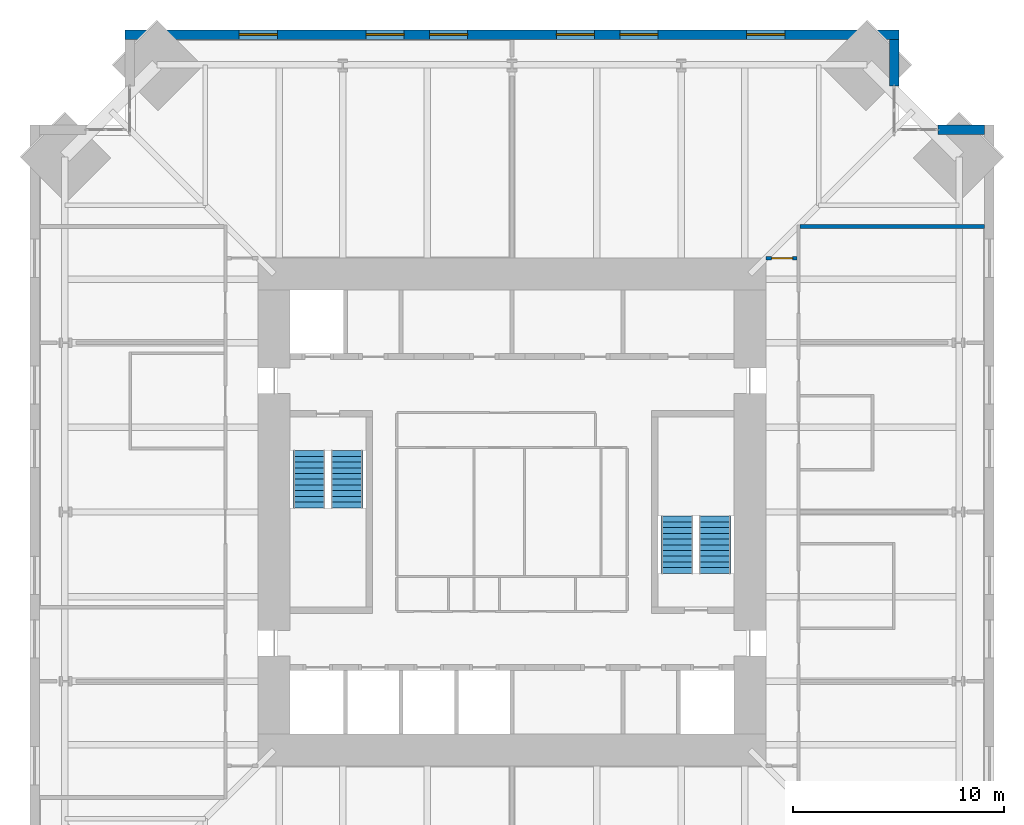
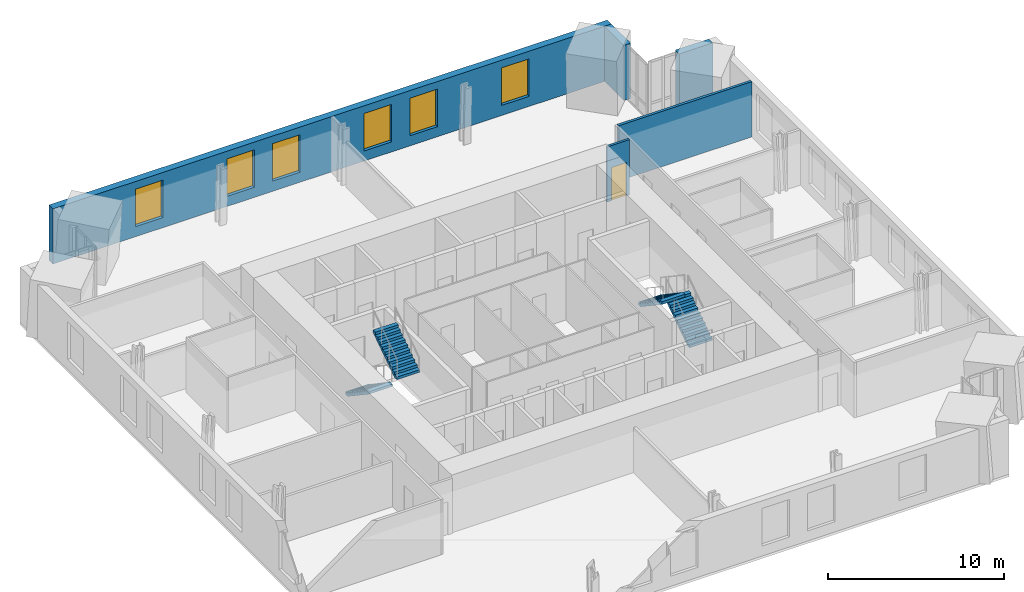
# One storey, part 14 of 15: 6 windows, 5 walls, 4 stair flights, 1 door, 7 openings, 2 elements without a shape of their own.
"""IFC4 building model written with IfcOpenShell, lengths in metres."""

from ifc_helpers import new_model, si_unit, direction, frame, frame_2d, origin, place, context, subcontext, project, spatial, polyline, rectangle, outline, extrude, material, layer, layer_set, type_object, element, fill, aggregate, save


model = new_model("IFC4")

# Units and contexts
model_context = context("Model", 3, precision=1e-05, world=origin(), true_north=direction((0.0, 1.0)))
body_context = subcontext(model_context, "Body", "Model", "MODEL_VIEW")
ifc_project = project(units=[si_unit("LENGTHUNIT", "METRE"), si_unit("AREAUNIT", "SQUARE_METRE"), si_unit("VOLUMEUNIT", "CUBIC_METRE"), si_unit("PLANEANGLEUNIT", "RADIAN"), si_unit("MASSUNIT", "GRAM", prefix="KILO")], contexts=[model_context])

# Site, building, storey
site_placement = place(None, origin())
site = spatial("IfcSite", under=ifc_project, at=site_placement, CompositionType="ELEMENT")
building_placement = place(site_placement, origin())
building = spatial("IfcBuilding", under=site, at=building_placement, Name="Peilmerk Tower", CompositionType="ELEMENT")
storey_placement = place(building_placement, frame((0.0, 0.0, 241.800048828125)))
storey = spatial("IfcBuildingStorey", under=building, at=storey_placement, Name="L53", CompositionType="ELEMENT", Elevation=241.800048828125)

# Wall, openings, windows
ifc_material_1 = material(Name="Precast concrete C45/55, board-marked finish", Category="concrete")
ifc_layer_1 = layer(ifc_material_1, 0.449951171875)
ifc_layer_set_1 = layer_set([ifc_layer_1], Name="Precast concrete C45/55, board-marked finish")
wall_type_1 = type_object("IfcWallType", Name="EW1 450 precast concrete facade wall, board-marked", PredefinedType="SOLIDWALL", material=ifc_layer_set_1)
wall_1_placement = place(storey_placement, frame((18.300048828125, 22.574951171875, 0.0), z_axis=(0.0, 0.0, 1.0), x_axis=(-1.0, 0.0, 0.0)))
wall_1 = element("IfcWall", 1, at=wall_1_placement, inside=storey, type_object=wall_type_1, Name="Facade wall N L53", PredefinedType="SOLIDWALL", context=body_context, shape_type="SweptSolid", body=[
    extrude(rectangle(XDim=36.60009765625, YDim=0.449951171875, at=frame_2d((18.300048828125, 0.0))), origin(), (0.0, 0.0, 1.0), 3.829833984375),
])
opening_1_placement = place(wall_1_placement, frame((5.39990234375, 0.0, 0.699951171875)))
opening_1 = element("IfcOpeningElement", 2, at=opening_1_placement, cuts=wall_1, Name="Opening W1", PredefinedType="OPENING", context=body_context, shape_type="SweptSolid", body=[
    extrude(rectangle(XDim=1.800048828125, YDim=2.60009765625, at=frame_2d((0.89990234375, 1.300048828125))), frame((0.0, 0.23486328125, 0.0), z_axis=(0.0, -1.0, 0.0), x_axis=(1.0, 0.0, 0.0)), (0.0, 0.0, 1.0), 0.469970703125),
])
opening_2_placement = place(wall_1_placement, frame((11.39990234375, 0.0, 0.699951171875)))
opening_2 = element("IfcOpeningElement", 3, at=opening_2_placement, cuts=wall_1, Name="Opening W1", PredefinedType="OPENING", context=body_context, shape_type="SweptSolid", body=[
    extrude(rectangle(XDim=1.800048828125, YDim=2.60009765625, at=frame_2d((0.89990234375, 1.300048828125))), frame((0.0, 0.23486328125, 0.0), z_axis=(0.0, -1.0, 0.0), x_axis=(1.0, 0.0, 0.0)), (0.0, 0.0, 1.0), 0.469970703125),
])
opening_3_placement = place(wall_1_placement, frame((14.39990234375, 0.0, 0.699951171875)))
opening_3 = element("IfcOpeningElement", 4, at=opening_3_placement, cuts=wall_1, Name="Opening W1", PredefinedType="OPENING", context=body_context, shape_type="SweptSolid", body=[
    extrude(rectangle(XDim=1.800048828125, YDim=2.60009765625, at=frame_2d((0.89990234375, 1.300048828125))), frame((0.0, 0.23486328125, 0.0), z_axis=(0.0, -1.0, 0.0), x_axis=(1.0, 0.0, 0.0)), (0.0, 0.0, 1.0), 0.469970703125),
])
opening_4_placement = place(wall_1_placement, frame((20.39990234375, 0.0, 0.699951171875)))
opening_4 = element("IfcOpeningElement", 5, at=opening_4_placement, cuts=wall_1, Name="Opening W1", PredefinedType="OPENING", context=body_context, shape_type="SweptSolid", body=[
    extrude(rectangle(XDim=1.800048828125, YDim=2.60009765625, at=frame_2d((0.89990234375, 1.300048828125))), frame((0.0, 0.23486328125, 0.0), z_axis=(0.0, -1.0, 0.0), x_axis=(1.0, 0.0, 0.0)), (0.0, 0.0, 1.0), 0.469970703125),
])
opening_5_placement = place(wall_1_placement, frame((23.39990234375, 0.0, 0.699951171875)))
opening_5 = element("IfcOpeningElement", 6, at=opening_5_placement, cuts=wall_1, Name="Opening W1", PredefinedType="OPENING", context=body_context, shape_type="SweptSolid", body=[
    extrude(rectangle(XDim=1.800048828125, YDim=2.60009765625, at=frame_2d((0.89990234375, 1.300048828125))), frame((0.0, 0.23486328125, 0.0), z_axis=(0.0, -1.0, 0.0), x_axis=(1.0, 0.0, 0.0)), (0.0, 0.0, 1.0), 0.469970703125),
])
opening_6_placement = place(wall_1_placement, frame((29.39990234375, 0.0, 0.699951171875)))
opening_6 = element("IfcOpeningElement", 7, at=opening_6_placement, cuts=wall_1, Name="Opening W1", PredefinedType="OPENING", context=body_context, shape_type="SweptSolid", body=[
    extrude(rectangle(XDim=1.800048828125, YDim=2.60009765625, at=frame_2d((0.89990234375, 1.300048828125))), frame((0.0, 0.23486328125, 0.0), z_axis=(0.0, -1.0, 0.0), x_axis=(1.0, 0.0, 0.0)), (0.0, 0.0, 1.0), 0.469970703125),
])
ifc_material_2 = material(Name="Aluminium frame, clear double glazing", Category="aluminium")
window_type = type_object("IfcWindowType", Name="W1 1800x2600 office window", PartitioningType="SINGLE_PANEL", PredefinedType="WINDOW", material=ifc_material_2)
window_1_placement = place(opening_1_placement, origin())
window_1 = element("IfcWindow", 8, at=window_1_placement, inside=storey, type_object=window_type, Name="Window W1 L53", OverallHeight=2.60009765625, OverallWidth=1.800048828125, PartitioningType="SINGLE_PANEL", PredefinedType="WINDOW", context=body_context, shape_type="SweptSolid", body=[
    extrude(rectangle(XDim=1.800048828125, YDim=2.60009765625, at=frame_2d((0.89990234375, 1.300048828125))), frame((0.0, 0.030029296875, 0.0), z_axis=(0.0, -1.0, 0.0), x_axis=(1.0, 0.0, 0.0)), (0.0, 0.0, 1.0), 0.06005859375),
])
fill(opening_1, window_1)
window_2_placement = place(opening_2_placement, origin())
window_2 = element("IfcWindow", 9, at=window_2_placement, inside=storey, type_object=window_type, Name="Window W1 L53", OverallHeight=2.60009765625, OverallWidth=1.800048828125, PartitioningType="SINGLE_PANEL", PredefinedType="WINDOW", context=body_context, shape_type="SweptSolid", body=[
    extrude(rectangle(XDim=1.800048828125, YDim=2.60009765625, at=frame_2d((0.89990234375, 1.300048828125))), frame((0.0, 0.030029296875, 0.0), z_axis=(0.0, -1.0, 0.0), x_axis=(1.0, 0.0, 0.0)), (0.0, 0.0, 1.0), 0.06005859375),
])
fill(opening_2, window_2)
window_3_placement = place(opening_3_placement, origin())
window_3 = element("IfcWindow", 10, at=window_3_placement, inside=storey, type_object=window_type, Name="Window W1 L53", OverallHeight=2.60009765625, OverallWidth=1.800048828125, PartitioningType="SINGLE_PANEL", PredefinedType="WINDOW", context=body_context, shape_type="SweptSolid", body=[
    extrude(rectangle(XDim=1.800048828125, YDim=2.60009765625, at=frame_2d((0.89990234375, 1.300048828125))), frame((0.0, 0.030029296875, 0.0), z_axis=(0.0, -1.0, 0.0), x_axis=(1.0, 0.0, 0.0)), (0.0, 0.0, 1.0), 0.06005859375),
])
fill(opening_3, window_3)
window_4_placement = place(opening_4_placement, origin())
window_4 = element("IfcWindow", 11, at=window_4_placement, inside=storey, type_object=window_type, Name="Window W1 L53", OverallHeight=2.60009765625, OverallWidth=1.800048828125, PartitioningType="SINGLE_PANEL", PredefinedType="WINDOW", context=body_context, shape_type="SweptSolid", body=[
    extrude(rectangle(XDim=1.800048828125, YDim=2.60009765625, at=frame_2d((0.89990234375, 1.300048828125))), frame((0.0, 0.030029296875, 0.0), z_axis=(0.0, -1.0, 0.0), x_axis=(1.0, 0.0, 0.0)), (0.0, 0.0, 1.0), 0.06005859375),
])
fill(opening_4, window_4)
window_5_placement = place(opening_5_placement, origin())
window_5 = element("IfcWindow", 12, at=window_5_placement, inside=storey, type_object=window_type, Name="Window W1 L53", OverallHeight=2.60009765625, OverallWidth=1.800048828125, PartitioningType="SINGLE_PANEL", PredefinedType="WINDOW", context=body_context, shape_type="SweptSolid", body=[
    extrude(rectangle(XDim=1.800048828125, YDim=2.60009765625, at=frame_2d((0.89990234375, 1.300048828125))), frame((0.0, 0.030029296875, 0.0), z_axis=(0.0, -1.0, 0.0), x_axis=(1.0, 0.0, 0.0)), (0.0, 0.0, 1.0), 0.06005859375),
])
fill(opening_5, window_5)
window_6_placement = place(opening_6_placement, origin())
window_6 = element("IfcWindow", 13, at=window_6_placement, inside=storey, type_object=window_type, Name="Window W1 L53", OverallHeight=2.60009765625, OverallWidth=1.800048828125, PartitioningType="SINGLE_PANEL", PredefinedType="WINDOW", context=body_context, shape_type="SweptSolid", body=[
    extrude(rectangle(XDim=1.800048828125, YDim=2.60009765625, at=frame_2d((0.89990234375, 1.300048828125))), frame((0.0, 0.030029296875, 0.0), z_axis=(0.0, -1.0, 0.0), x_axis=(1.0, 0.0, 0.0)), (0.0, 0.0, 1.0), 0.06005859375),
])
fill(opening_6, window_6)

# Walls
for number, where, z_axis, x_axis, name in (
    (14, (18.074951171875, 20.153564453125, 0.0), (0.0, 0.0, 1.0), (0.0, 1.0, 0.0), "Facade wall NEA L53"),
    (15, (20.153564453125, 18.074951171875, 0.0), (0.0, 0.0, 1.0), (1.0, 0.0, 0.0), "Facade wall NEB L53"),
):
    element("IfcWall", number, at=place(storey_placement, frame(where, z_axis=z_axis, x_axis=x_axis)), inside=storey, type_object=wall_type_1, Name=name, PredefinedType="SOLIDWALL", context=body_context, shape_type="SweptSolid", body=[
        extrude(rectangle(XDim=2.196533203125, YDim=0.449951171875, at=frame_2d((1.09814453125, 0.0))), origin(), (0.0, 0.0, 1.0), 3.829833984375),
    ])

# Wall, opening, door
ifc_material_3 = material(Name="Calcium silicate block", Category="masonry")
ifc_layer_2 = layer(ifc_material_3, 0.14990234375)
ifc_layer_set_2 = layer_set([ifc_layer_2], Name="Calcium silicate block")
wall_type_2 = type_object("IfcWallType", Name="IW1 150 corridor partition, EI 60", PredefinedType="PARTITIONING", material=ifc_layer_set_2)
wall_2_placement = place(storey_placement, frame((12.0, 12.0, 0.0), z_axis=(0.0, 0.0, 1.0), x_axis=(1.0, 0.0, 0.0)))
wall_2 = element("IfcWall", 16, at=wall_2_placement, inside=storey, type_object=wall_type_2, Name="Corridor wall NE L53", PredefinedType="PARTITIONING", context=body_context, shape_type="SweptSolid", body=[
    extrude(rectangle(XDim=1.47509765625, YDim=0.14990234375, at=frame_2d((0.737548828125, 0.0))), origin(), (0.0, 0.0, 1.0), 3.829833984375),
])
opening_7_placement = place(wall_2_placement, frame((0.27490234375, 0.0, 0.0)))
opening_7 = element("IfcOpeningElement", 17, at=opening_7_placement, cuts=wall_2, Name="Opening D1", PredefinedType="OPENING", context=body_context, shape_type="SweptSolid", body=[
    extrude(rectangle(XDim=1.0, YDim=2.300048828125, at=frame_2d((0.5, 1.14990234375))), frame((0.0, 0.0849609375, 0.0), z_axis=(0.0, -1.0, 0.0), x_axis=(1.0, 0.0, 0.0)), (0.0, 0.0, 1.0), 0.169921875),
])
ifc_material_4 = material(Name="Timber door in steel frame", Category="steel")
door_type = type_object("IfcDoorType", Name="D1 1000x2300 room door, EI2 30", OperationType="SINGLE_SWING_LEFT", PredefinedType="DOOR", material=ifc_material_4)
door_placement = place(opening_7_placement, origin())
door = element("IfcDoor", 18, at=door_placement, inside=storey, type_object=door_type, Name="Door Client lounge L53", OperationType="SINGLE_SWING_LEFT", OverallHeight=2.300048828125, OverallWidth=1.0, PredefinedType="DOOR", context=body_context, shape_type="SweptSolid", body=[
    extrude(rectangle(XDim=1.0, YDim=2.300048828125, at=frame_2d((0.5, 1.14990234375))), frame((0.0, 0.02490234375, 0.0), z_axis=(0.0, -1.0, 0.0), x_axis=(1.0, 0.0, 0.0)), (0.0, 0.0, 1.0), 0.050048828125),
])
fill(opening_7, door)

# Wall
ifc_layer_3 = layer(ifc_material_3, 0.175048828125)
ifc_layer_set_3 = layer_set([ifc_layer_3], Name="Calcium silicate block")
wall_type_3 = type_object("IfcWallType", Name="IW8 175 tenant separating wall, EI 60", PredefinedType="PARTITIONING", material=ifc_layer_set_3)
wall_3_placement = place(storey_placement, frame((13.625, 13.5, 0.0), z_axis=(0.0, 0.0, 1.0), x_axis=(1.0, 0.0, 0.0)))
element("IfcWall", 19, at=wall_3_placement, inside=storey, type_object=wall_type_3, Name="Tenant separating wall NE L53", PredefinedType="PARTITIONING", context=body_context, shape_type="SweptSolid", body=[
    extrude(rectangle(XDim=8.72509765625, YDim=0.175048828125, at=frame_2d((4.362548828125, 0.0))), origin(), (0.0, 0.0, 1.0), 3.829833984375),
])

# Stair, stair flights
ifc_material_5 = material(Name="Precast concrete C45/55", Category="concrete")
stair_type_1 = type_object("IfcStairType", Name="ST1 22 risers of 181.8", PredefinedType="HALF_TURN_STAIR", material=ifc_material_5)
stair_1_placement = place(storey_placement, origin())
stair_1 = element("IfcStair", 20, at=stair_1_placement, inside=storey, type_object=stair_type_1, Name="Stair 1 L53 to L54", PredefinedType="HALF_TURN_STAIR")
stair_flight_type = type_object("IfcStairFlightType", Name="SF11 flight, 11 risers of 181.8", PredefinedType="STRAIGHT", material=ifc_material_5)
stair_flight_1_placement = place(storey_placement, frame((-9.60009765625, 2.89990234375, 0.0), z_axis=(0.0, 0.0, 1.0), x_axis=(0.0, -1.0, 0.0)))
stair_flight_1 = element("IfcStairFlight", 21, at=stair_flight_1_placement, type_object=stair_flight_type, Name="ST1 flight 1", NumberOfRisers=11, NumberOfTreads=10, PredefinedType="STRAIGHT", RiserHeight=0.181818182, TreadLength=0.27, context=body_context, shape_type="SweptSolid", body=[
    extrude(outline(polyline([(0.0, 0.0), (0.0, 0.181884765625), (0.27001953125, 0.181884765625), (0.27001953125, 0.363525390625), (0.5400390625, 0.363525390625), (0.5400390625, 0.54541015625), (0.81005859375, 0.54541015625), (0.81005859375, 0.727294921875), (1.080078125, 0.727294921875), (1.080078125, 0.9091796875), (1.35009765625, 0.9091796875), (1.35009765625, 1.0908203125), (1.6201171875, 1.0908203125), (1.6201171875, 1.272705078125), (1.889892578125, 1.272705078125), (1.889892578125, 1.45458984375), (2.159912109375, 1.45458984375), (2.159912109375, 1.636474609375), (2.429931640625, 1.636474609375), (2.429931640625, 1.818115234375), (2.699951171875, 1.818115234375), (2.699951171875, 2.0), (2.699951171875, 1.637451171875), (0.268310546875, 0.0), (0.0, 0.0)])), frame((0.0, 0.75, 0.0), z_axis=(0.0, -1.0, 0.0), x_axis=(1.0, 0.0, 0.0)), (0.0, 0.0, 1.0), 1.5),
])
stair_flight_2_placement = place(storey_placement, frame((-7.800048828125, 0.199951171875, 2.0), z_axis=(0.0, 0.0, 1.0), x_axis=(0.0, 1.0, 0.0)))
stair_flight_2 = element("IfcStairFlight", 22, at=stair_flight_2_placement, type_object=stair_flight_type, Name="ST1 flight 2", NumberOfRisers=11, NumberOfTreads=10, PredefinedType="STRAIGHT", RiserHeight=0.181818182, TreadLength=0.27, context=body_context, shape_type="SweptSolid", body=[
    extrude(outline(polyline([(0.0, 0.0), (0.0, 0.181884765625), (0.27001953125, 0.181884765625), (0.27001953125, 0.363525390625), (0.5400390625, 0.363525390625), (0.5400390625, 0.54541015625), (0.81005859375, 0.54541015625), (0.81005859375, 0.727294921875), (1.080078125, 0.727294921875), (1.080078125, 0.9091796875), (1.35009765625, 0.9091796875), (1.35009765625, 1.0908203125), (1.6201171875, 1.0908203125), (1.6201171875, 1.272705078125), (1.889892578125, 1.272705078125), (1.889892578125, 1.45458984375), (2.159912109375, 1.45458984375), (2.159912109375, 1.636474609375), (2.429931640625, 1.636474609375), (2.429931640625, 1.818115234375), (2.699951171875, 1.818115234375), (2.699951171875, 2.0), (2.699951171875, 1.637451171875), (0.268310546875, 0.0), (0.0, 0.0)])), frame((0.0, 0.75, 0.0), z_axis=(0.0, -1.0, 0.0), x_axis=(1.0, 0.0, 0.0)), (0.0, 0.0, 1.0), 1.5),
])
aggregate(stair_1, [stair_flight_1, stair_flight_2])

stair_type_2 = type_object("IfcStairType", Name="ST2 22 risers of 181.8", PredefinedType="HALF_TURN_STAIR", material=ifc_material_5)
stair_2_placement = place(storey_placement, origin())
stair_2 = element("IfcStair", 23, at=stair_2_placement, inside=storey, type_object=stair_type_2, Name="Stair 2 L53 to L54", PredefinedType="HALF_TURN_STAIR")
stair_flight_3_placement = place(storey_placement, frame((9.60009765625, -2.89990234375, 0.0), z_axis=(0.0, 0.0, 1.0), x_axis=(0.0, 1.0, 0.0)))
stair_flight_3 = element("IfcStairFlight", 24, at=stair_flight_3_placement, type_object=stair_flight_type, Name="ST2 flight 1", NumberOfRisers=11, NumberOfTreads=10, PredefinedType="STRAIGHT", RiserHeight=0.181818182, TreadLength=0.27, context=body_context, shape_type="SweptSolid", body=[
    extrude(outline(polyline([(0.0, 0.0), (0.0, 0.181884765625), (0.27001953125, 0.181884765625), (0.27001953125, 0.363525390625), (0.5400390625, 0.363525390625), (0.5400390625, 0.54541015625), (0.81005859375, 0.54541015625), (0.81005859375, 0.727294921875), (1.080078125, 0.727294921875), (1.080078125, 0.9091796875), (1.35009765625, 0.9091796875), (1.35009765625, 1.0908203125), (1.6201171875, 1.0908203125), (1.6201171875, 1.272705078125), (1.889892578125, 1.272705078125), (1.889892578125, 1.45458984375), (2.159912109375, 1.45458984375), (2.159912109375, 1.636474609375), (2.429931640625, 1.636474609375), (2.429931640625, 1.818115234375), (2.699951171875, 1.818115234375), (2.699951171875, 2.0), (2.699951171875, 1.637451171875), (0.268310546875, 0.0), (0.0, 0.0)])), frame((0.0, 0.75, 0.0), z_axis=(0.0, -1.0, 0.0), x_axis=(1.0, 0.0, 0.0)), (0.0, 0.0, 1.0), 1.5),
])
stair_flight_4_placement = place(storey_placement, frame((7.800048828125, -0.199951171875, 2.0), z_axis=(0.0, 0.0, 1.0), x_axis=(0.0, -1.0, 0.0)))
stair_flight_4 = element("IfcStairFlight", 25, at=stair_flight_4_placement, type_object=stair_flight_type, Name="ST2 flight 2", NumberOfRisers=11, NumberOfTreads=10, PredefinedType="STRAIGHT", RiserHeight=0.181818182, TreadLength=0.27, context=body_context, shape_type="SweptSolid", body=[
    extrude(outline(polyline([(0.0, 0.0), (0.0, 0.181884765625), (0.27001953125, 0.181884765625), (0.27001953125, 0.363525390625), (0.5400390625, 0.363525390625), (0.5400390625, 0.54541015625), (0.81005859375, 0.54541015625), (0.81005859375, 0.727294921875), (1.080078125, 0.727294921875), (1.080078125, 0.9091796875), (1.35009765625, 0.9091796875), (1.35009765625, 1.0908203125), (1.6201171875, 1.0908203125), (1.6201171875, 1.272705078125), (1.889892578125, 1.272705078125), (1.889892578125, 1.45458984375), (2.159912109375, 1.45458984375), (2.159912109375, 1.636474609375), (2.429931640625, 1.636474609375), (2.429931640625, 1.818115234375), (2.699951171875, 1.818115234375), (2.699951171875, 2.0), (2.699951171875, 1.637451171875), (0.268310546875, 0.0), (0.0, 0.0)])), frame((0.0, 0.75, 0.0), z_axis=(0.0, -1.0, 0.0), x_axis=(1.0, 0.0, 0.0)), (0.0, 0.0, 1.0), 1.5),
])
aggregate(stair_2, [stair_flight_3, stair_flight_4])

save(model, "model.ifc")
